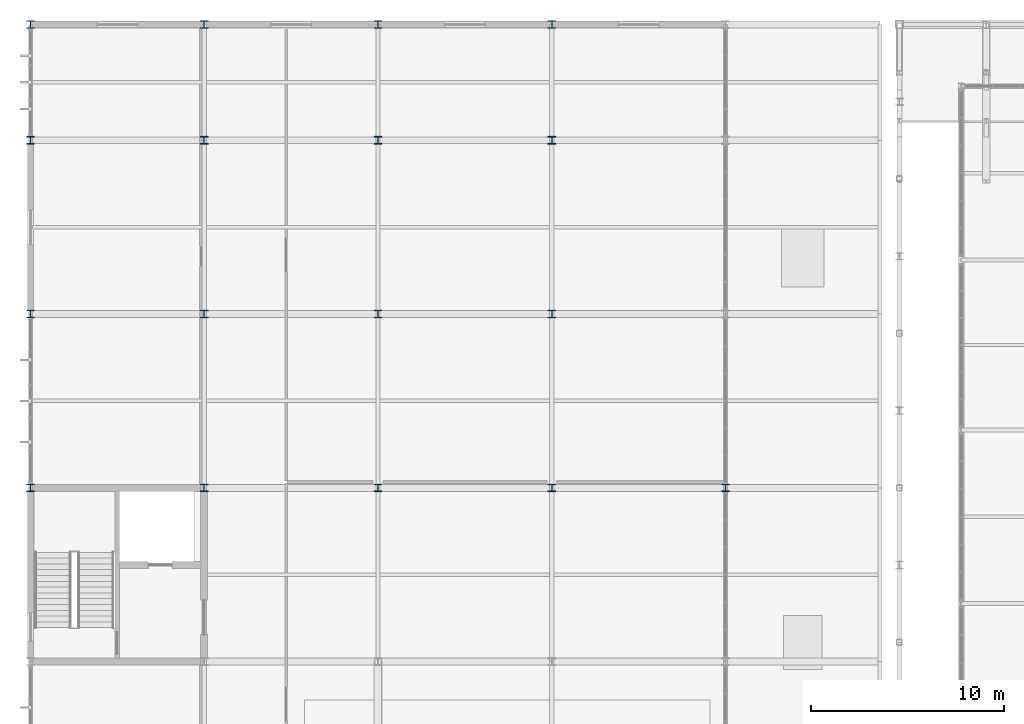
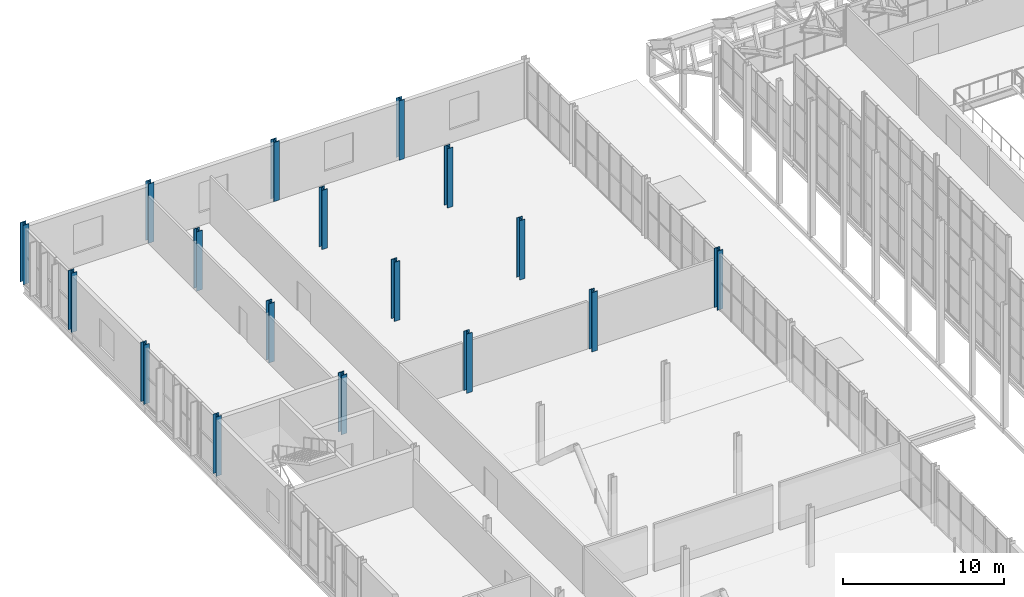
# One storey, part 10 of 134: 17 columns.
"""IFC4 building model written with IfcOpenShell, lengths in metres."""

from ifc_helpers import new_model, si_unit, direction, frame, origin, origin_2d, place, context, subcontext, project, spatial, i_section, extrude, material, material_profile, profile_set, type_object, element, save


model = new_model("IFC4")

# Units and contexts
model_context = context("Model", 3, precision=1e-05, world=origin(), true_north=direction((0.0, 1.0)))
body_context = subcontext(model_context, "Body", "Model", "MODEL_VIEW")
ifc_project = project(units=[si_unit("LENGTHUNIT", "METRE"), si_unit("AREAUNIT", "SQUARE_METRE"), si_unit("VOLUMEUNIT", "CUBIC_METRE"), si_unit("PLANEANGLEUNIT", "RADIAN"), si_unit("MASSUNIT", "GRAM", prefix="KILO")], contexts=[model_context])

# Site, building, storey
site_placement = place(None, origin())
site = spatial("IfcSite", under=ifc_project, at=site_placement, CompositionType="ELEMENT")
building_placement = place(site_placement, origin())
building = spatial("IfcBuilding", under=site, at=building_placement, Name="Cazmaro Siding Exhibition Halls", CompositionType="ELEMENT")
storey_placement = place(building_placement, frame((0.0, 0.0, 12.0)))
storey = spatial("IfcBuildingStorey", under=building, at=storey_placement, Name="L02", CompositionType="ELEMENT", Elevation=12.0)

# Columns
ifc_material = material(Name="Steel ASTM A992 Grade 50", Category="steel")
ifc_material_profile = material_profile(ifc_material, i_section(OverallWidth=0.40087890625, OverallDepth=0.39892578125, WebThickness=0.02490234375, FlangeThickness=0.0400390625, at=origin_2d()), Name="W14X211")
ifc_profile_set = profile_set([ifc_material_profile], Name="Steel ASTM A992 Grade 50")
column_type = type_object("IfcColumnType", Name="C-02", PredefinedType="COLUMN", material=ifc_profile_set)
for number, where, z_axis, x_axis, name in (
    (1, (0.0, 100.0, 0.0), (0.0, 0.0, 1.0), (1.0, 0.0, 0.0), "Column C-02 COL-0908"),
    (2, (0.0, 109.0, 0.0), (0.0, 0.0, 1.0), (1.0, 0.0, 0.0), "Column C-02 COL-0913"),
    (3, (0.0, 118.0, 0.0), (0.0, 0.0, 1.0), (1.0, 0.0, 0.0), "Column C-02 COL-0917"),
    (4, (0.0, 124.0, 0.0), (0.0, 0.0, 1.0), (1.0, 0.0, 0.0), "Column C-02 COL-0920"),
    (5, (9.0, 100.0, 0.0), (0.0, 0.0, 1.0), (1.0, 0.0, 0.0), "Column C-02 COL-0948"),
    (6, (9.0, 109.0, 0.0), (0.0, 0.0, 1.0), (1.0, 0.0, 0.0), "Column C-02 COL-0953"),
    (7, (9.0, 118.0, 0.0), (0.0, 0.0, 1.0), (1.0, 0.0, 0.0), "Column C-02 COL-0957"),
    (8, (9.0, 124.0, 0.0), (0.0, 0.0, 1.0), (1.0, 0.0, 0.0), "Column C-02 COL-0960"),
    (9, (18.0, 100.0, 0.0), (0.0, 0.0, 1.0), (1.0, 0.0, 0.0), "Column C-02 COL-0988"),
    (10, (18.0, 109.0, 0.0), (0.0, 0.0, 1.0), (1.0, 0.0, 0.0), "Column C-02 COL-0993"),
    (11, (18.0, 118.0, 0.0), (0.0, 0.0, 1.0), (1.0, 0.0, 0.0), "Column C-02 COL-0997"),
    (12, (18.0, 124.0, 0.0), (0.0, 0.0, 1.0), (1.0, 0.0, 0.0), "Column C-02 COL-1000"),
    (13, (27.0, 100.0, 0.0), (0.0, 0.0, 1.0), (1.0, 0.0, 0.0), "Column C-02 COL-1028"),
    (14, (27.0, 109.0, 0.0), (0.0, 0.0, 1.0), (1.0, 0.0, 0.0), "Column C-02 COL-1033"),
    (15, (27.0, 118.0, 0.0), (0.0, 0.0, 1.0), (1.0, 0.0, 0.0), "Column C-02 COL-1037"),
    (16, (27.0, 124.0, 0.0), (0.0, 0.0, 1.0), (1.0, 0.0, 0.0), "Column C-02 COL-1040"),
    (17, (36.0, 100.0, 0.0), (0.0, 0.0, 1.0), (1.0, 0.0, 0.0), "Column C-02 COL-1063"),
):
    element("IfcColumn", number, at=place(storey_placement, frame(where, z_axis=z_axis, x_axis=x_axis)), inside=storey, type_object=column_type, Name=name, PredefinedType="COLUMN", context=body_context, shape_type="SweptSolid", body=[
        extrude(i_section(OverallWidth=0.40087890625, OverallDepth=0.39892578125, WebThickness=0.02490234375, FlangeThickness=0.0400390625, at=origin_2d()), origin(), (0.0, 0.0, 1.0), 4.5),
    ])

save(model, "model.ifc")
